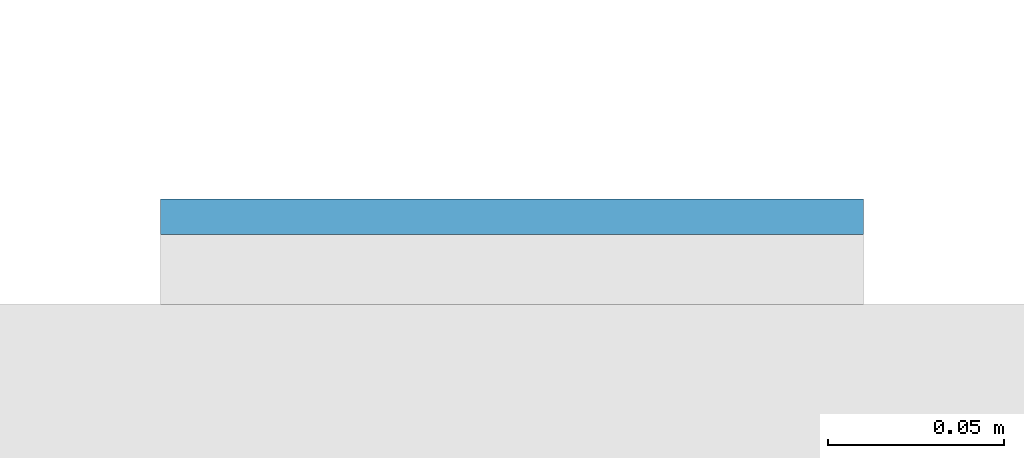
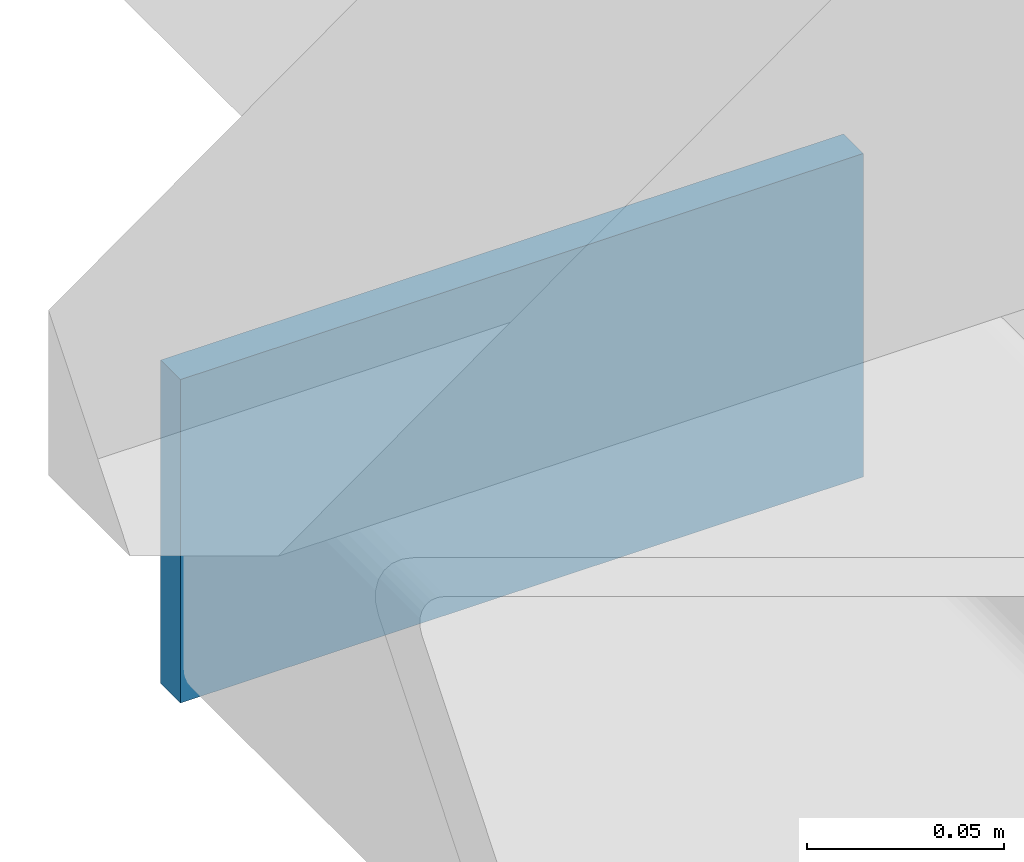
# One storey, part 9 of 20: 1 plate.
"""IFC4 building model written with IfcOpenShell, lengths in metres."""

from ifc_helpers import new_model, si_unit, direction, frame, origin, origin_2d, place, context, subcontext, project, spatial, rectangle, extrude, material, layer, layer_set, type_object, element, save


model = new_model("IFC4")

# Units and contexts
model_context = context("Model", 3, precision=1e-05, world=origin(), true_north=direction((0.0, 1.0)))
body_context = subcontext(model_context, "Body", "Model", "MODEL_VIEW")
ifc_project = project(units=[si_unit("LENGTHUNIT", "METRE"), si_unit("AREAUNIT", "SQUARE_METRE"), si_unit("VOLUMEUNIT", "CUBIC_METRE"), si_unit("PLANEANGLEUNIT", "RADIAN"), si_unit("MASSUNIT", "GRAM", prefix="KILO")], contexts=[model_context])

# Site, building, storey
site_placement = place(None, origin())
site = spatial("IfcSite", under=ifc_project, at=site_placement, CompositionType="ELEMENT")
building_placement = place(site_placement, origin())
building = spatial("IfcBuilding", under=site, at=building_placement, Name="Cleftline Residences", CompositionType="ELEMENT")
storey_placement = place(building_placement, frame((0.0, 0.0, 69.199951171875)))
storey = spatial("IfcBuildingStorey", under=building, at=storey_placement, Name="L17", CompositionType="ELEMENT", Elevation=69.199951171875)

# Plate
ifc_material = material(Name="Steel S355, hot-dip galvanised", Category="steel")
ifc_layer = layer(ifc_material, 0.010009765625)
ifc_layer_set = layer_set([ifc_layer], Name="BAGUETTE CARRIER END PLATE 200X100X10")
plate_type = type_object("IfcPlateType", Name="BAGUETTE CARRIER END PLATE 200X100X10", PredefinedType="USERDEFINED", material=ifc_layer_set)
plate_placement = place(storey_placement, frame((-0.85009765625, 44.304931640625, -0.10009765625), z_axis=(0.0, 0.0, 1.0), x_axis=(-1.0, 0.0, 0.0)))
element("IfcPlate", 1, at=plate_placement, inside=storey, type_object=plate_type, Name="Baguette carrier end plate", ObjectType="BAGUETTE CARRIER END PLATE", PredefinedType="USERDEFINED", context=body_context, shape_type="SweptSolid", body=[
    extrude(rectangle(XDim=0.199951171875, YDim=0.010009765625, at=origin_2d()), origin(), (0.0, 0.0, 1.0), 0.10009765625),
])

save(model, "model.ifc")
